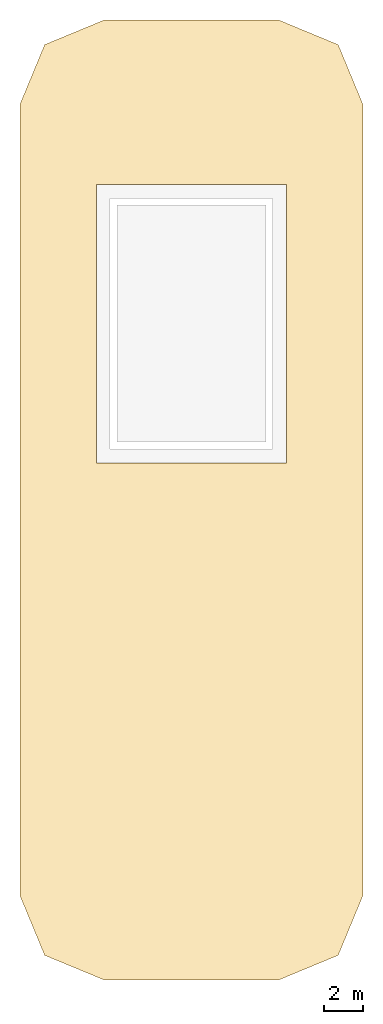
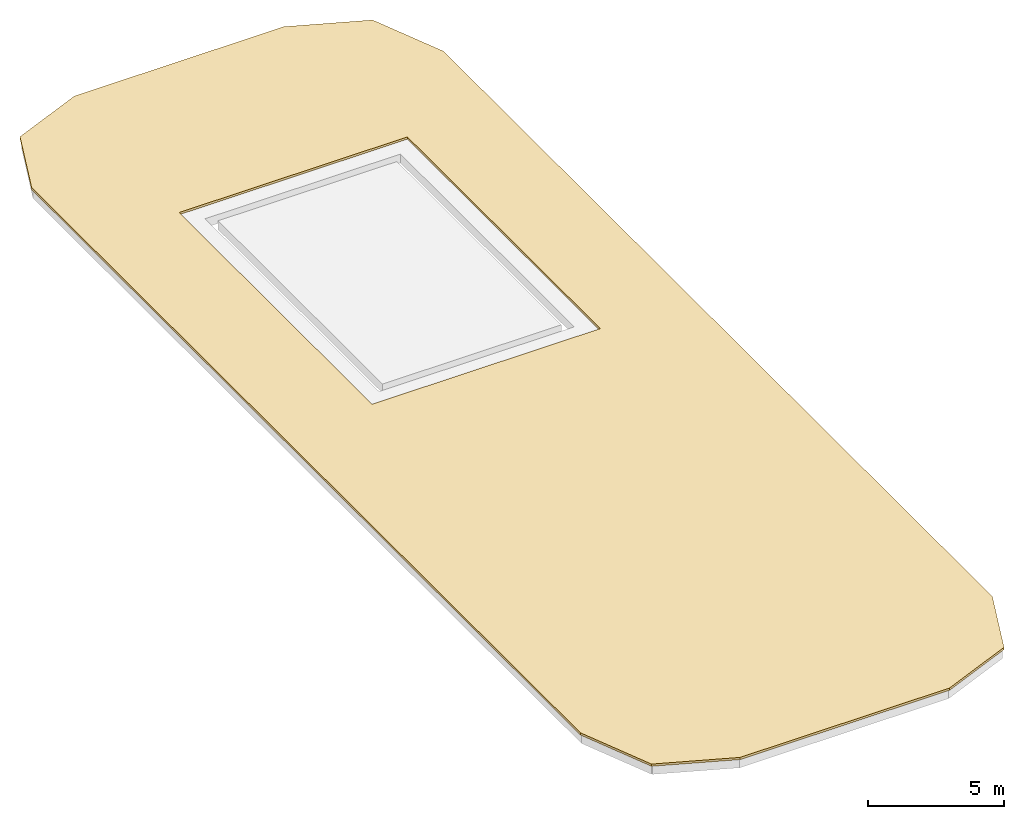
# One storey, part 2 of 2: 1 covering.
"""IFC4 building model written with IfcOpenShell, lengths in metres."""

from ifc_helpers import new_model, si_unit, direction, frame, origin, place, context, subcontext, project, spatial, polyline, outline, extrude, material, layer, layer_set, type_object, element, save


model = new_model("IFC4")

# Units and contexts
model_context = context("Model", 3, precision=1e-05, world=origin(), true_north=direction((0.0, 1.0)))
body_context = subcontext(model_context, "Body", "Model", "MODEL_VIEW")
ifc_project = project(units=[si_unit("LENGTHUNIT", "METRE"), si_unit("AREAUNIT", "SQUARE_METRE"), si_unit("VOLUMEUNIT", "CUBIC_METRE"), si_unit("PLANEANGLEUNIT", "RADIAN"), si_unit("MASSUNIT", "GRAM", prefix="KILO")], contexts=[model_context])

# Site, building, storey
site_placement = place(None, origin())
site = spatial("IfcSite", under=ifc_project, at=site_placement, CompositionType="ELEMENT")
building_placement = place(site_placement, origin())
building = spatial("IfcBuilding", under=site, at=building_placement, Name="Girih Gate Residences", CompositionType="ELEMENT")
storey_placement = place(building_placement, frame((0.0, 0.0, 257.39501953125)))
storey = spatial("IfcBuildingStorey", under=building, at=storey_placement, Name="Roof", CompositionType="ELEMENT", Elevation=257.39501953125)

# Covering
ifc_material_1 = material(Name="Gravel ballast")
ifc_layer_1 = layer(ifc_material_1, 0.030029296875, Name="Ballast")
ifc_material_2 = material(Name="Bituminous roofing membrane")
ifc_layer_2 = layer(ifc_material_2, 0.010009765625, Name="Waterproofing")
ifc_material_3 = material(Name="Rigid PIR insulation")
ifc_layer_3 = layer(ifc_material_3, 0.06005859375, Name="Insulation")
ifc_layer_set = layer_set([ifc_layer_1, ifc_layer_2, ifc_layer_3], Name="Crown roof covering 100")
covering_type = type_object("IfcCoveringType", Name="Crown roof covering 100", PredefinedType="ROOFING", material=ifc_layer_set)
covering_placement = place(storey_placement, frame((0.0, 0.0, -0.10009765625)))
element("IfcCovering", 1, at=covering_placement, inside=storey, type_object=covering_type, Name="Crown roof covering", PredefinedType="ROOFING", context=body_context, shape_type="SweptSolid", body=[
    extrude(outline(polyline([(17.75, 4.5498046875), (16.490478515625, 1.509521484375), (13.4501953125, 0.25), (4.5498046875, 0.25), (1.509521484375, 1.509521484375), (0.25, 4.5498046875), (0.25, 44.9501953125), (1.509521484375, 47.990478515625), (4.5498046875, 49.25), (13.4501953125, 49.25), (16.490478515625, 47.990478515625), (17.75, 44.9501953125), (17.75, 4.5498046875)]), holes=[polyline([(13.85009765625, 40.85009765625), (4.14990234375, 40.85009765625), (4.14990234375, 26.64990234375), (13.85009765625, 26.64990234375), (13.85009765625, 40.85009765625)])]), origin(), (0.0, 0.0, 1.0), 0.10009765625),
])

save(model, "model.ifc")
